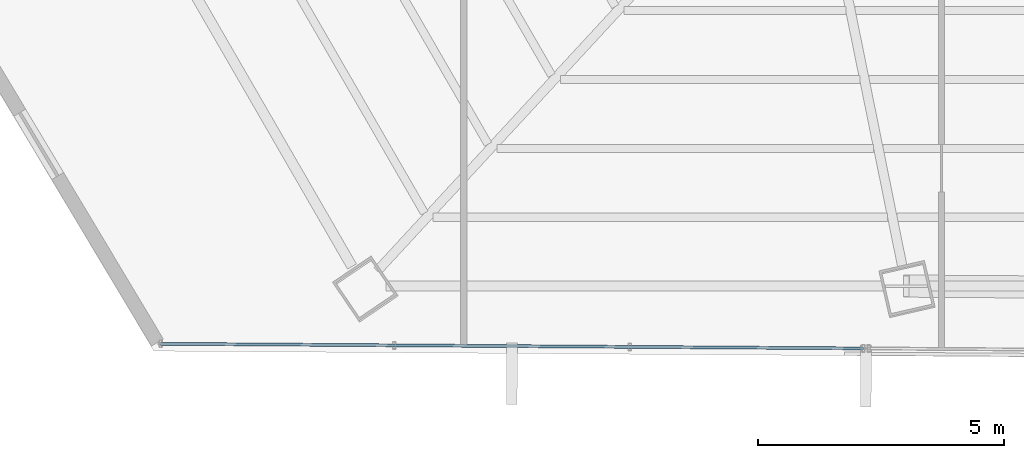
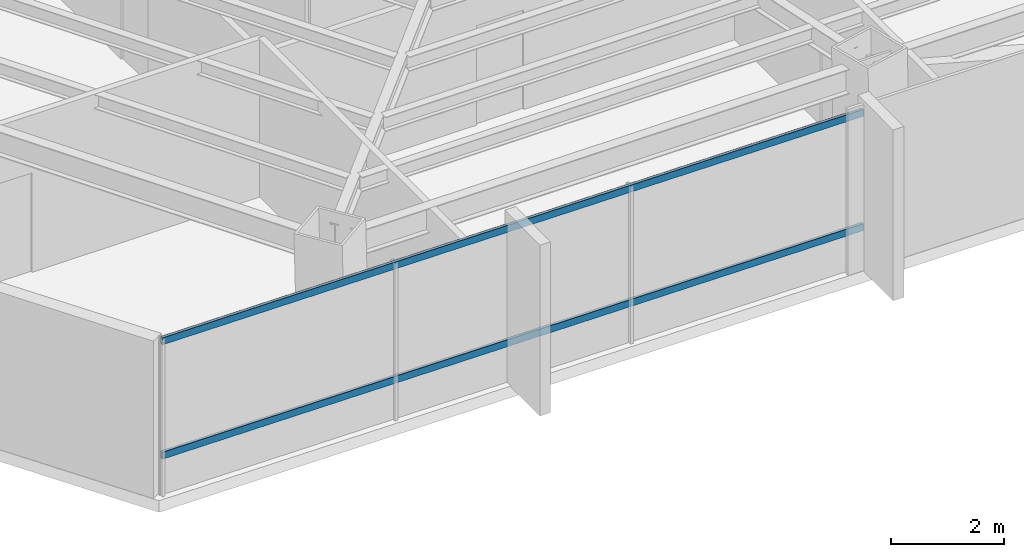
# One storey, part 3 of 41: 2 members, 1 element without a shape of its own.
"""IFC4 building model written with IfcOpenShell, lengths in metres."""

from ifc_helpers import new_model, si_unit, direction, frame, origin, origin_2d, place, context, subcontext, project, spatial, hollow_rectangle, extrude, source, transform, mapped, material, material_profile, profile_set, type_object, type_shapes, element, aggregate, save


model = new_model("IFC4")

# Units and contexts
model_context = context("Model", 3, precision=1e-05, world=origin(), true_north=direction((0.0, 1.0)))
body_context = subcontext(model_context, "Body", "Model", "MODEL_VIEW")
ifc_project = project(units=[si_unit("LENGTHUNIT", "METRE"), si_unit("AREAUNIT", "SQUARE_METRE"), si_unit("VOLUMEUNIT", "CUBIC_METRE"), si_unit("PLANEANGLEUNIT", "RADIAN"), si_unit("MASSUNIT", "GRAM", prefix="KILO")], contexts=[model_context])

# Site, building, storey
site_placement = place(None, origin())
site = spatial("IfcSite", under=ifc_project, at=site_placement, CompositionType="ELEMENT")
building_placement = place(site_placement, origin())
building = spatial("IfcBuilding", under=site, at=building_placement, Name="Caelisora Broadcast Tower", CompositionType="ELEMENT")
storey_placement = place(building_placement, frame((0.0, 0.0, 165.800048828125)))
storey = spatial("IfcBuildingStorey", under=building, at=storey_placement, Name="L43", CompositionType="ELEMENT", Elevation=165.800048828125)

# Curtain wall, members
ifc_material_1 = material(Name="Unitised Aluminium and Low-E Glass Curtain Wall", Category="glass")
curtain_wall_type = type_object("IfcCurtainWallType", Name="CW-Z3", PredefinedType="NOTDEFINED", material=ifc_material_1)
curtain_wall_placement = place(storey_placement, origin())
curtain_wall = element("IfcCurtainWall", 1, at=curtain_wall_placement, inside=storey, type_object=curtain_wall_type, Name="L43 curtain wall CW-Z3", PredefinedType="NOTDEFINED")
ifc_material_2 = material(Name="Aluminium 6063-T6 Anodised Terracotta Bronze", Category="aluminium")
ifc_material_profile = material_profile(ifc_material_2, hollow_rectangle(XDim=0.06005859375, YDim=0.14990234375, WallThickness=0.00341796875, at=origin_2d()), Name="Aluminium 6063-T6 Anodised Terracotta Bronze")
ifc_profile_set = profile_set([ifc_material_profile], Name="Aluminium 6063-T6 Anodised Terracotta Bronze")
member_type = type_object("IfcMemberType", Name="CWT-02", PredefinedType="USERDEFINED", material=ifc_profile_set)
shared_shape = source(origin(), body_context, "Body", "SweptSolid", [
    extrude(hollow_rectangle(XDim=0.06005859375, YDim=0.14990234375, WallThickness=0.00341796875, at=origin_2d()), origin(), (0.0, 0.0, 1.0), 14.2744140625),
])
type_shapes(member_type, [shared_shape])
member_1_placement = place(storey_placement, frame((31.6142578125, 6.343994140625, 0.849853515625), z_axis=(-0.99997843265, 0.006567665831, 0.0), x_axis=(-0.006567665831, -0.99997843265, 0.0)))
member_1 = element("IfcMember", 2, at=member_1_placement, type_object=member_type, Name="L43-CW-B07 transom #1", ObjectType="TRANSOM", PredefinedType="USERDEFINED", context=body_context, shape_type="MappedRepresentation", body=[
    mapped(shared_shape, transform((0.0, 0.0, 0.0), scale=1.0)),
])
member_2_placement = place(storey_placement, frame((31.6142578125, 6.343994140625, 3.320068359375), z_axis=(-0.99997843265, 0.006567665831, 0.0), x_axis=(-0.006567665831, -0.99997843265, 0.0)))
member_2 = element("IfcMember", 3, at=member_2_placement, type_object=member_type, Name="L43-CW-B07 transom #2", ObjectType="TRANSOM", PredefinedType="USERDEFINED", context=body_context, shape_type="MappedRepresentation", body=[
    mapped(shared_shape, transform((0.0, 0.0, 0.0), scale=1.0)),
])
aggregate(curtain_wall, [member_1, member_2])

save(model, "model.ifc")
